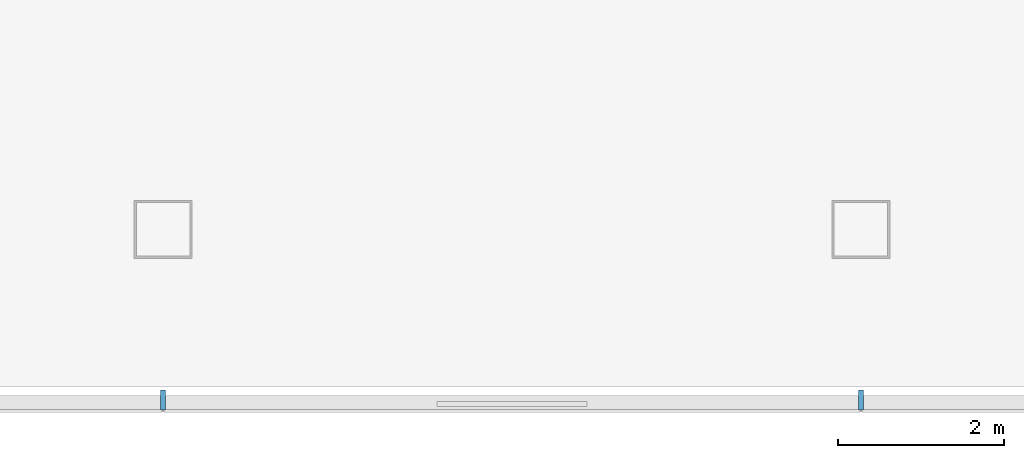
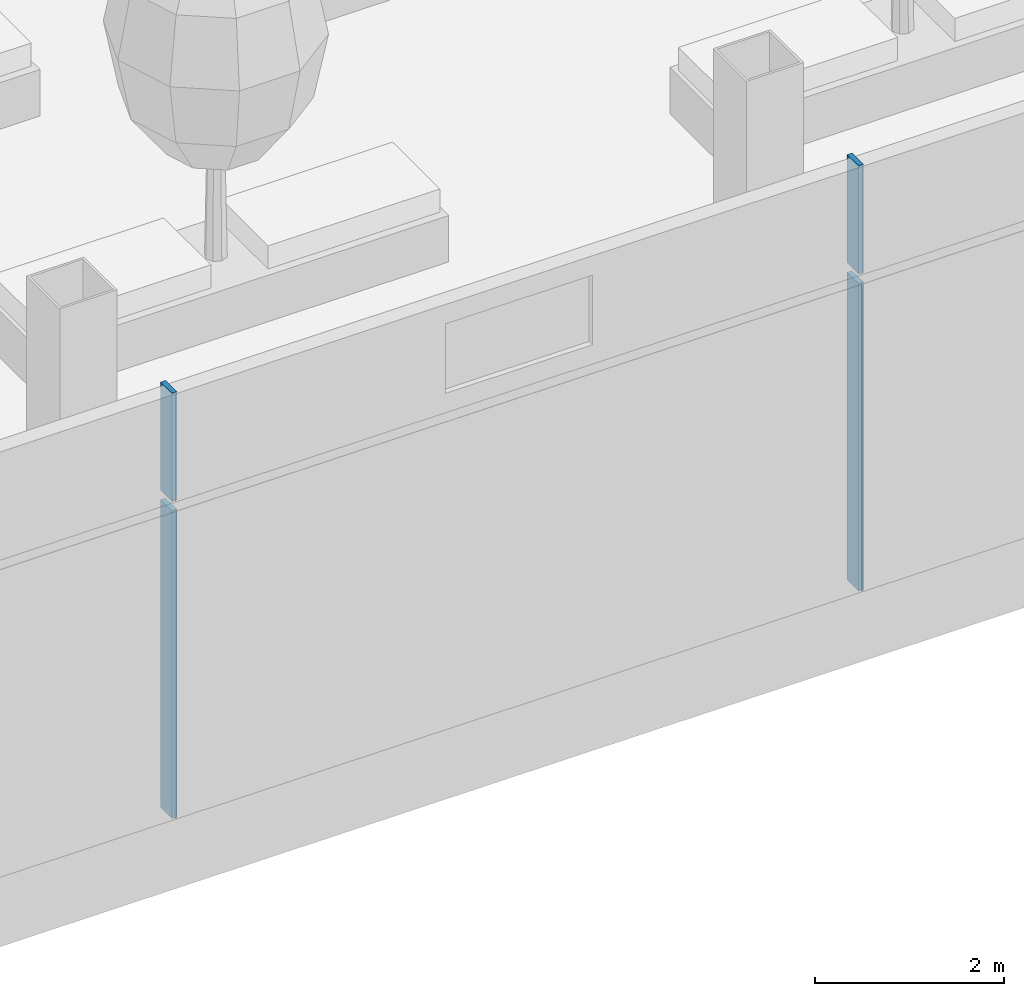
# One storey, part 3 of 43: 4 members, 1 element without a shape of its own.
"""IFC4 building model written with IfcOpenShell, lengths in metres."""

from ifc_helpers import new_model, si_unit, direction, frame, origin, origin_2d, place, context, subcontext, project, spatial, rectangle, extrude, material, layer, layer_set, material_profile, profile_set, type_object, element, aggregate, save


model = new_model("IFC4")

# Units and contexts
model_context = context("Model", 3, precision=1e-05, world=origin(), true_north=direction((0.0, 1.0)))
body_context = subcontext(model_context, "Body", "Model", "MODEL_VIEW")
ifc_project = project(units=[si_unit("LENGTHUNIT", "METRE"), si_unit("AREAUNIT", "SQUARE_METRE"), si_unit("VOLUMEUNIT", "CUBIC_METRE"), si_unit("PLANEANGLEUNIT", "RADIAN"), si_unit("MASSUNIT", "GRAM", prefix="KILO")], contexts=[model_context])

# Site, building, storey
site_placement = place(None, origin())
site = spatial("IfcSite", under=ifc_project, at=site_placement, CompositionType="ELEMENT")
building_placement = place(site_placement, origin())
building = spatial("IfcBuilding", under=site, at=building_placement, Name="Hakoniwa Tower and Hamabe Station Hall", CompositionType="ELEMENT")
storey_placement = place(building_placement, frame((0.0, 0.0, 124.60009765625)))
storey = spatial("IfcBuildingStorey", under=building, at=storey_placement, Name="L35", CompositionType="ELEMENT", Elevation=124.60009765625)

# Curtain wall, members
ifc_material_1 = material(Name="Dark low-e laminated glass", Category="glass")
ifc_layer = layer(ifc_material_1, 0.199951171875)
ifc_layer_set = layer_set([ifc_layer], Name="CW-2 SKY GARDEN")
curtain_wall_type = type_object("IfcCurtainWallType", Name="CW-2 SKY GARDEN", PredefinedType="NOTDEFINED", material=ifc_layer_set)
curtain_wall_placement = place(storey_placement, origin())
curtain_wall = element("IfcCurtainWall", 1, at=curtain_wall_placement, inside=storey, type_object=curtain_wall_type, Name="CW-2 curtain wall", PredefinedType="NOTDEFINED")
ifc_material_2 = material(Name="Aluminium 6063-T5 black anodised", Category="aluminium")
ifc_material_profile = material_profile(ifc_material_2, rectangle(XDim=0.06005859375, YDim=0.239990234375, at=origin_2d()), Name="CW-2 MULLION 60X240")
ifc_profile_set = profile_set([ifc_material_profile], Name="Aluminium 6063-T5 black anodised")
member_type = type_object("IfcMemberType", Name="CW-2 MULLION 60X240", PredefinedType="MULLION", material=ifc_profile_set)
member_1_placement = place(storey_placement, frame((-8.39990234375, -19.152099609375, 0.349853515625), z_axis=(0.0, 0.0, 1.0), x_axis=(1.0, 0.0, 0.0)))
member_1 = element("IfcMember", 2, at=member_1_placement, type_object=member_type, Name="CW-2 mullion", PredefinedType="MULLION", context=body_context, shape_type="SweptSolid", body=[
    extrude(rectangle(XDim=0.06005859375, YDim=0.239990234375, at=origin_2d()), origin(), (0.0, 0.0, 1.0), 3.97998046875),
])
member_2_placement = place(storey_placement, frame((-8.39990234375, -19.152099609375, 4.449951171875), z_axis=(0.0, 0.0, 1.0), x_axis=(1.0, 0.0, 0.0)))
member_2 = element("IfcMember", 3, at=member_2_placement, type_object=member_type, Name="CW-2 mullion", PredefinedType="MULLION", context=body_context, shape_type="SweptSolid", body=[
    extrude(rectangle(XDim=0.06005859375, YDim=0.239990234375, at=origin_2d()), origin(), (0.0, 0.0, 1.0), 1.39990234375),
])
member_3_placement = place(storey_placement, frame((0.0, -19.152099609375, 0.349853515625), z_axis=(0.0, 0.0, 1.0), x_axis=(1.0, 0.0, 0.0)))
member_3 = element("IfcMember", 4, at=member_3_placement, type_object=member_type, Name="CW-2 mullion", PredefinedType="MULLION", context=body_context, shape_type="SweptSolid", body=[
    extrude(rectangle(XDim=0.06005859375, YDim=0.239990234375, at=origin_2d()), origin(), (0.0, 0.0, 1.0), 3.97998046875),
])
member_4_placement = place(storey_placement, frame((0.0, -19.152099609375, 4.449951171875), z_axis=(0.0, 0.0, 1.0), x_axis=(1.0, 0.0, 0.0)))
member_4 = element("IfcMember", 5, at=member_4_placement, type_object=member_type, Name="CW-2 mullion", PredefinedType="MULLION", context=body_context, shape_type="SweptSolid", body=[
    extrude(rectangle(XDim=0.06005859375, YDim=0.239990234375, at=origin_2d()), origin(), (0.0, 0.0, 1.0), 1.39990234375),
])
aggregate(curtain_wall, [member_1, member_2, member_3, member_4])

save(model, "model.ifc")
